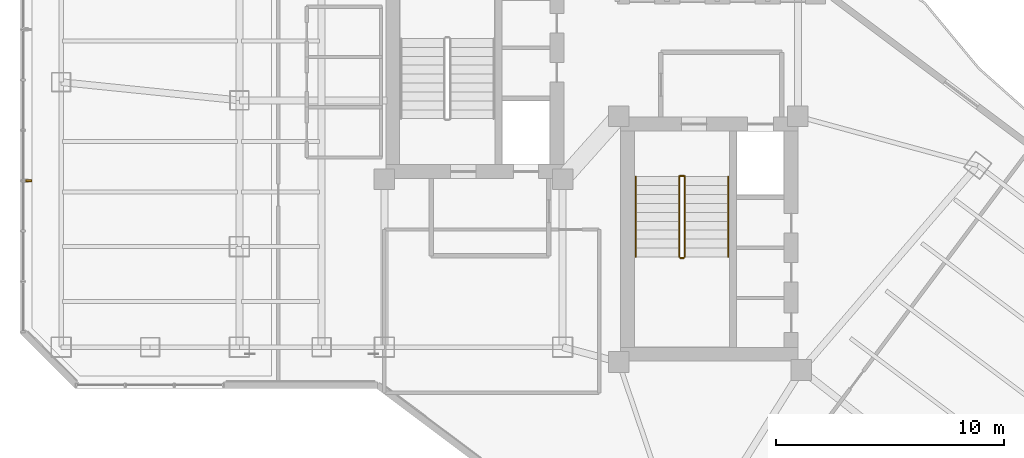
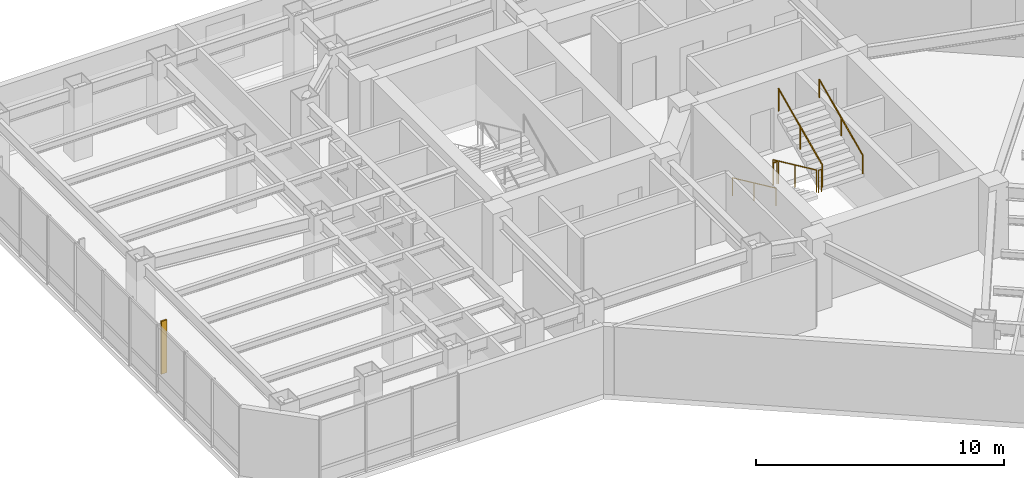
# One storey, part 26 of 29: 7 railings, 1 shading device.
"""IFC4 building model written with IfcOpenShell, lengths in metres."""

from ifc_helpers import new_model, si_unit, direction, frame, origin, origin_2d, place, context, subcontext, project, spatial, rectangle, circle, extrude, material, layer, layer_set, type_object, element, save


model = new_model("IFC4")

# Units and contexts
model_context = context("Model", 3, precision=1e-05, world=origin(), true_north=direction((0.0, 1.0)))
body_context = subcontext(model_context, "Body", "Model", "MODEL_VIEW")
ifc_project = project(units=[si_unit("LENGTHUNIT", "METRE"), si_unit("AREAUNIT", "SQUARE_METRE"), si_unit("VOLUMEUNIT", "CUBIC_METRE"), si_unit("PLANEANGLEUNIT", "RADIAN"), si_unit("MASSUNIT", "GRAM", prefix="KILO")], contexts=[model_context])

# Site, building, storey
site_placement = place(None, origin())
site = spatial("IfcSite", under=ifc_project, at=site_placement, CompositionType="ELEMENT")
building_placement = place(site_placement, origin())
building = spatial("IfcBuilding", under=site, at=building_placement, Name="Hatsunagi Terrace Concourse", CompositionType="ELEMENT")
storey_placement = place(building_placement, frame((0.0, 0.0, 126.449951171875)))
storey = spatial("IfcBuildingStorey", under=building, at=storey_placement, Name="L33", CompositionType="ELEMENT", Elevation=126.449951171875)

# Railings
ifc_material_1 = material(Name="Stainless steel", Category="steel")
ifc_layer_1 = layer(ifc_material_1, 0.044921875)
ifc_layer_set_1 = layer_set([ifc_layer_1], Name="StairPitchHandrail_Tower2000")
railing_type_1 = type_object("IfcRailingType", Name="StairPitchHandrail_Tower2000", PredefinedType="HANDRAIL", material=ifc_layer_set_1)
railing_1_placement = place(storey_placement, frame((36.550048828125, 32.659912109375, 0.179931640625)))
element("IfcRailing", 1, at=railing_1_placement, inside=storey, type_object=railing_type_1, Name="L33 ST-B stair handrail 1", PredefinedType="HANDRAIL", context=body_context, shape_type="SweptSolid", body=[
    extrude(circle(Radius=0.02392578125, at=origin_2d()), frame((0.0, 0.0, 0.8759765625), z_axis=(0.0, -0.907948293929, 0.419082206198), x_axis=(1.0, 0.0, 0.0)), (0.0, 0.0, 1.0), 3.865966796875),
    extrude(circle(Radius=0.02099609375, at=origin_2d()), origin(), (0.0, 0.0, 1.0), 0.851806640625),
    extrude(circle(Radius=0.02099609375, at=origin_2d()), frame((0.0, -1.7548828125, 0.81005859375)), (0.0, 0.0, 1.0), 0.851806640625),
    extrude(circle(Radius=0.02099609375, at=origin_2d()), frame((0.0, -3.510009765625, 1.6201171875)), (0.0, 0.0, 1.0), 0.851806640625),
])
railing_2_placement = place(storey_placement, frame((40.60009765625, 29.14990234375, 1.97998046875)))
element("IfcRailing", 2, at=railing_2_placement, inside=storey, type_object=railing_type_1, Name="L33 ST-B stair handrail 2", PredefinedType="HANDRAIL", context=body_context, shape_type="SweptSolid", body=[
    extrude(circle(Radius=0.02392578125, at=origin_2d()), frame((0.0, 0.0, 0.8759765625), z_axis=(0.0, 0.907948293929, 0.419082206198), x_axis=(-1.0, 0.0, 0.0)), (0.0, 0.0, 1.0), 3.865966796875),
    extrude(circle(Radius=0.02099609375, at=origin_2d()), origin(), (0.0, 0.0, 1.0), 0.851806640625),
    extrude(circle(Radius=0.02099609375, at=origin_2d()), frame((0.0, 1.7548828125, 0.81005859375)), (0.0, 0.0, 1.0), 0.851806640625),
    extrude(circle(Radius=0.02099609375, at=origin_2d()), frame((0.0, 3.510009765625, 1.6201171875)), (0.0, 0.0, 1.0), 0.851806640625),
])
ifc_material_2 = material(Name="Stainless steel", Category="steel")
ifc_layer_2 = layer(ifc_material_2, 0.06005859375)
ifc_layer_set_2 = layer_set([ifc_layer_2], Name="StairWellGuard_Tower2000")
railing_type_2 = type_object("IfcRailingType", Name="StairWellGuard_Tower2000", PredefinedType="BALUSTRADE", material=ifc_layer_set_2)
railing_3_placement = place(storey_placement, frame((38.449951171875, 32.659912109375, 0.179931640625)))
element("IfcRailing", 3, at=railing_3_placement, inside=storey, type_object=railing_type_2, Name="L33 ST-B stair guard 1", PredefinedType="BALUSTRADE", context=body_context, shape_type="SweptSolid", body=[
    extrude(circle(Radius=0.02392578125, at=origin_2d()), frame((0.0, 0.0, 1.09619140625), z_axis=(0.0, -0.907948293929, 0.419082206198), x_axis=(1.0, 0.0, 0.0)), (0.0, 0.0, 1.0), 3.865966796875),
    extrude(circle(Radius=0.02099609375, at=origin_2d()), origin(), (0.0, 0.0, 1.0), 1.072021484375),
    extrude(circle(Radius=0.02099609375, at=origin_2d()), frame((0.0, -1.7548828125, 0.81005859375)), (0.0, 0.0, 1.0), 1.072021484375),
    extrude(circle(Radius=0.02099609375, at=origin_2d()), frame((0.0, -3.510009765625, 1.6201171875)), (0.0, 0.0, 1.0), 1.072021484375),
])
railing_4_placement = place(storey_placement, frame((38.5, 29.10009765625, 1.800048828125)))
element("IfcRailing", 4, at=railing_4_placement, inside=storey, type_object=railing_type_2, Name="L33 ST-B stair guard 2", PredefinedType="BALUSTRADE", context=body_context, shape_type="SweptSolid", body=[
    extrude(circle(Radius=0.02392578125, at=origin_2d()), frame((0.0, 0.0, 1.09619140625), z_axis=(1.0, 0.0, 0.0), x_axis=(0.0, 1.0, 0.0)), (0.0, 0.0, 1.0), 0.14990234375),
    extrude(circle(Radius=0.02099609375, at=origin_2d()), origin(), (0.0, 0.0, 1.0), 1.072021484375),
    extrude(circle(Radius=0.02099609375, at=origin_2d()), frame((0.14990234375, 0.0, 0.0)), (0.0, 0.0, 1.0), 1.072021484375),
])
railing_5_placement = place(storey_placement, frame((38.699951171875, 29.14990234375, 1.97998046875)))
element("IfcRailing", 5, at=railing_5_placement, inside=storey, type_object=railing_type_2, Name="L33 ST-B stair guard 3", PredefinedType="BALUSTRADE", context=body_context, shape_type="SweptSolid", body=[
    extrude(circle(Radius=0.02392578125, at=origin_2d()), frame((0.0, 0.0, 1.09619140625), z_axis=(0.0, 0.907948293929, 0.419082206198), x_axis=(-1.0, 0.0, 0.0)), (0.0, 0.0, 1.0), 3.865966796875),
    extrude(circle(Radius=0.02099609375, at=origin_2d()), origin(), (0.0, 0.0, 1.0), 1.072021484375),
    extrude(circle(Radius=0.02099609375, at=origin_2d()), frame((0.0, 1.7548828125, 0.81005859375)), (0.0, 0.0, 1.0), 1.072021484375),
    extrude(circle(Radius=0.02099609375, at=origin_2d()), frame((0.0, 3.510009765625, 1.6201171875)), (0.0, 0.0, 1.0), 1.072021484375),
])
railing_6_placement = place(storey_placement, frame((38.5, 32.7099609375, 0.0)))
element("IfcRailing", 6, at=railing_6_placement, inside=storey, type_object=railing_type_2, Name="L33 ST-B stair guard 4", PredefinedType="BALUSTRADE", context=body_context, shape_type="SweptSolid", body=[
    extrude(circle(Radius=0.02392578125, at=origin_2d()), frame((0.0, 0.0, 1.09619140625), z_axis=(1.0, 0.0, 0.0), x_axis=(0.0, 1.0, 0.0)), (0.0, 0.0, 1.0), 0.14990234375),
    extrude(circle(Radius=0.02099609375, at=origin_2d()), origin(), (0.0, 0.0, 1.0), 1.072021484375),
    extrude(circle(Radius=0.02099609375, at=origin_2d()), frame((0.14990234375, 0.0, 0.0)), (0.0, 0.0, 1.0), 1.072021484375),
])
ifc_material_3 = material(Name="Stainless Steel SUS316 Post-and-Rail Guard", Category="steel")
ifc_layer_3 = layer(ifc_material_3, 0.080078125)
ifc_layer_set_3 = layer_set([ifc_layer_3], Name="TerracePlantedGuardRail_1200")
railing_type_3 = type_object("IfcRailingType", Name="TerracePlantedGuardRail_1200", PredefinedType="GUARDRAIL", material=ifc_layer_set_3)
railing_7_placement = place(storey_placement, frame((38.449951171875, 32.679931640625, 0.0)))
element("IfcRailing", 7, at=railing_7_placement, inside=storey, type_object=railing_type_3, Name="Stair ST-B Well Closure Guard L33", PredefinedType="GUARDRAIL", context=body_context, shape_type="SweptSolid", body=[
    extrude(circle(Radius=0.02392578125, at=origin_2d()), frame((0.0, 0.0, 1.09619140625), z_axis=(1.0, 0.0, 0.0), x_axis=(0.0, 1.0, 0.0)), (0.0, 0.0, 1.0), 0.25),
    extrude(circle(Radius=0.02099609375, at=origin_2d()), origin(), (0.0, 0.0, 1.0), 1.072021484375),
    extrude(circle(Radius=0.02099609375, at=origin_2d()), frame((0.25, 0.0, 0.0)), (0.0, 0.0, 1.0), 1.072021484375),
])

# Shading device
ifc_material_4 = material(Name="Extruded Unglazed Terracotta Baguette", Category="masonry")
shading_device_type = type_object("IfcShadingDeviceType", Name="TerracottaFinScreen_260x70", PredefinedType="USERDEFINED", material=ifc_material_4)
shading_device_placement = place(storey_placement, frame((9.989990234375, 32.48291015625, 0.85009765625), z_axis=(0.0, 0.0, 1.0), x_axis=(0.0, 1.0, 0.0)))
element("IfcShadingDevice", 8, at=shading_device_placement, inside=storey, type_object=shading_device_type, Name="Terracotta Baguette Fin Screen SCR-01", ObjectType="SUNSHADE", PredefinedType="USERDEFINED", context=body_context, shape_type="SweptSolid", body=[
    extrude(rectangle(XDim=0.070068359375, YDim=0.260009765625, at=origin_2d()), origin(), (0.0, 0.0, 1.0), 2.60009765625),
])

save(model, "model.ifc")
